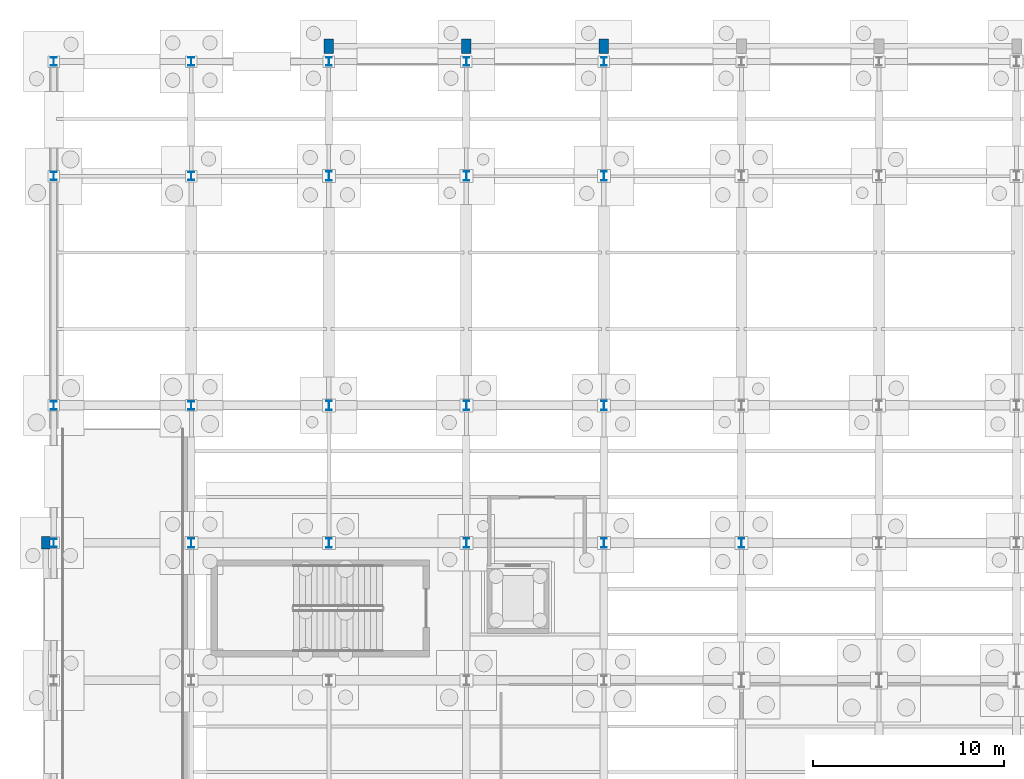
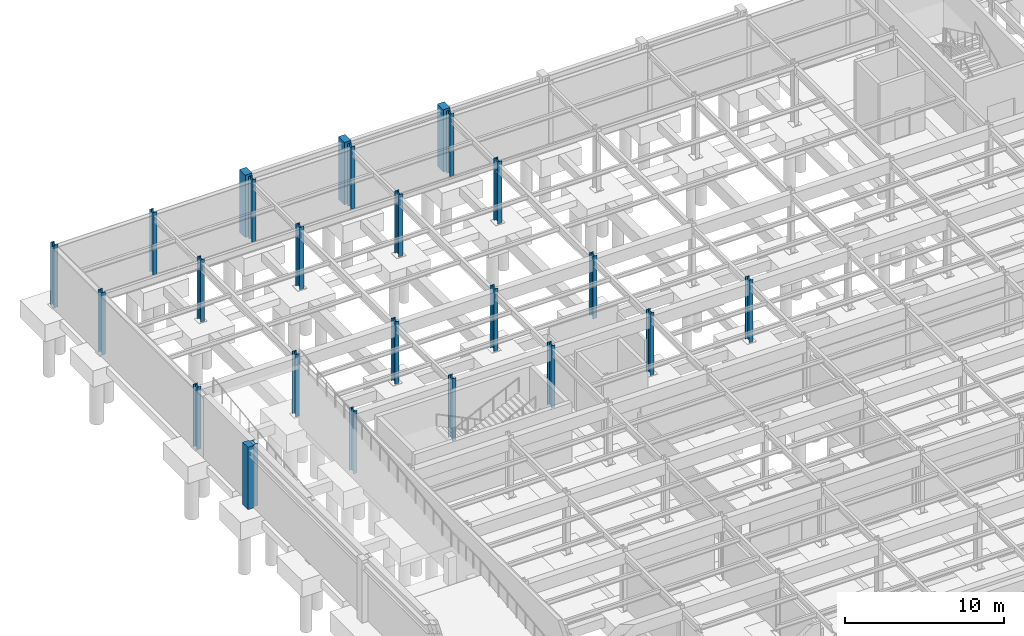
# One storey, part 25 of 64: 25 columns.
"""IFC4 building model written with IfcOpenShell, lengths in metres."""

from ifc_helpers import new_model, si_unit, direction, frame, origin, origin_2d, place, context, subcontext, project, spatial, rectangle, i_section, extrude, material, material_profile, profile_set, type_object, element, save


model = new_model("IFC4")

# Units and contexts
model_context = context("Model", 3, precision=1e-05, world=origin(), true_north=direction((0.0, 1.0)))
body_context = subcontext(model_context, "Body", "Model", "MODEL_VIEW")
ifc_project = project(units=[si_unit("LENGTHUNIT", "METRE"), si_unit("AREAUNIT", "SQUARE_METRE"), si_unit("VOLUMEUNIT", "CUBIC_METRE"), si_unit("PLANEANGLEUNIT", "RADIAN"), si_unit("MASSUNIT", "GRAM", prefix="KILO")], contexts=[model_context])

# Site, building, storey
site_placement = place(None, origin())
site = spatial("IfcSite", under=ifc_project, at=site_placement, CompositionType="ELEMENT")
building_placement = place(site_placement, origin())
building = spatial("IfcBuilding", under=site, at=building_placement, Name="Solvadek Multi-Sports Hall", CompositionType="ELEMENT")
storey_placement = place(building_placement, frame((0.0, 0.0, -4.800048828125)))
storey = spatial("IfcBuildingStorey", under=building, at=storey_placement, Name="B1", CompositionType="ELEMENT", Elevation=-4.800048828125)

# Columns
ifc_material_1 = material(Name="Steel E350 (350 MPa)", Category="steel")
ifc_material_profile_1 = material_profile(ifc_material_1, i_section(OverallWidth=0.300048828125, OverallDepth=0.449951171875, WebThickness=0.013916015625, FlangeThickness=0.02587890625, at=origin_2d()), Name="WPB 450")
ifc_profile_set_1 = profile_set([ifc_material_profile_1], Name="Steel E350 (350 MPa)")
column_type_1 = type_object("IfcColumnType", Name="STR-COL-WPB450", PredefinedType="COLUMN", material=ifc_profile_set_1)
for number, where, z_axis, x_axis, name in (
    (1, (0.0, 85.199951171875, 0.0), (0.0, 0.0, 1.0), (1.0, 0.0, 0.0), "B1 Column C-06 #10"),
    (2, (0.0, 92.39990234375, 0.0), (0.0, 0.0, 1.0), (1.0, 0.0, 0.0), "B1 Column C-06 #11"),
    (3, (0.0, 104.39990234375, 0.0), (0.0, 0.0, 1.0), (1.0, 0.0, 0.0), "B1 Column C-06 #12"),
    (4, (0.0, 110.39990234375, 0.0), (0.0, 0.0, 1.0), (1.0, 0.0, 0.0), "B1 Column C-06 #13"),
    (5, (7.199951171875, 92.39990234375, 0.0), (0.0, 0.0, 1.0), (1.0, 0.0, 0.0), "B1 Column C-06 #24"),
    (6, (7.199951171875, 104.39990234375, 0.0), (0.0, 0.0, 1.0), (1.0, 0.0, 0.0), "B1 Column C-06 #25"),
    (7, (7.199951171875, 110.39990234375, 0.0), (0.0, 0.0, 1.0), (1.0, 0.0, 0.0), "B1 Column C-06 #26"),
    (8, (14.39990234375, 110.39990234375, 0.0), (0.0, 0.0, 1.0), (1.0, 0.0, 0.0), "B1 Column C-06 #39"),
    (9, (21.60009765625, 110.39990234375, 0.0), (0.0, 0.0, 1.0), (1.0, 0.0, 0.0), "B1 Column C-06 #52"),
    (10, (28.800048828125, 110.39990234375, 0.0), (0.0, 0.0, 1.0), (1.0, 0.0, 0.0), "B1 Column C-06 #65"),
):
    element("IfcColumn", number, at=place(storey_placement, frame(where, z_axis=z_axis, x_axis=x_axis)), inside=storey, type_object=column_type_1, Name=name, PredefinedType="COLUMN", context=body_context, shape_type="SweptSolid", body=[
        extrude(i_section(OverallWidth=0.300048828125, OverallDepth=0.449951171875, WebThickness=0.013916015625, FlangeThickness=0.02587890625, at=origin_2d()), origin(), (0.0, 0.0, 1.0), 4.800048828125),
    ])
ifc_material_profile_2 = material_profile(ifc_material_1, i_section(OverallWidth=0.300048828125, OverallDepth=0.5, WebThickness=0.014404296875, FlangeThickness=0.028076171875, at=origin_2d()), Name="WPB 500")
ifc_profile_set_2 = profile_set([ifc_material_profile_2], Name="Steel E350 (350 MPa)")
column_type_2 = type_object("IfcColumnType", Name="STR-COL-WPB500", PredefinedType="COLUMN", material=ifc_profile_set_2)
for number, where, z_axis, x_axis, name in (
    (11, (7.199951171875, 85.199951171875, 0.0), (0.0, 0.0, 1.0), (1.0, 0.0, 0.0), "B1 Column C-05 #23"),
    (12, (14.39990234375, 85.199951171875, 0.0), (0.0, 0.0, 1.0), (1.0, 0.0, 0.0), "B1 Column C-05 #36"),
    (13, (14.39990234375, 92.39990234375, 0.0), (0.0, 0.0, 1.0), (1.0, 0.0, 0.0), "B1 Column C-05 #37"),
    (14, (14.39990234375, 104.39990234375, 0.0), (0.0, 0.0, 1.0), (1.0, 0.0, 0.0), "B1 Column C-05 #38"),
    (15, (21.60009765625, 85.199951171875, 0.0), (0.0, 0.0, 1.0), (1.0, 0.0, 0.0), "B1 Column C-05 #49"),
    (16, (21.60009765625, 92.39990234375, 0.0), (0.0, 0.0, 1.0), (1.0, 0.0, 0.0), "B1 Column C-05 #50"),
    (17, (21.60009765625, 104.39990234375, 0.0), (0.0, 0.0, 1.0), (1.0, 0.0, 0.0), "B1 Column C-05 #51"),
    (18, (28.800048828125, 85.199951171875, 0.0), (0.0, 0.0, 1.0), (1.0, 0.0, 0.0), "B1 Column C-05 #62"),
    (19, (28.800048828125, 92.39990234375, 0.0), (0.0, 0.0, 1.0), (1.0, 0.0, 0.0), "B1 Column C-05 #63"),
    (20, (28.800048828125, 104.39990234375, 0.0), (0.0, 0.0, 1.0), (1.0, 0.0, 0.0), "B1 Column C-05 #64"),
    (21, (36.0, 85.199951171875, 0.0), (0.0, 0.0, 1.0), (1.0, 0.0, 0.0), "B1 Column C-05 #77"),
):
    element("IfcColumn", number, at=place(storey_placement, frame(where, z_axis=z_axis, x_axis=x_axis)), inside=storey, type_object=column_type_2, Name=name, PredefinedType="COLUMN", context=body_context, shape_type="SweptSolid", body=[
        extrude(i_section(OverallWidth=0.300048828125, OverallDepth=0.5, WebThickness=0.014404296875, FlangeThickness=0.028076171875, at=origin_2d()), origin(), (0.0, 0.0, 1.0), 4.800048828125),
    ])
ifc_material_2 = material(Name="Precast concrete M40", Category="concrete")
ifc_material_profile_3 = material_profile(ifc_material_2, rectangle(XDim=0.449951171875, YDim=0.64990234375, at=origin_2d()), Name="RC PILASTER 650x450")
ifc_profile_set_3 = profile_set([ifc_material_profile_3], Name="Precast concrete M40")
column_type_3 = type_object("IfcColumnType", Name="STR-PIL-650X450", PredefinedType="PILASTER", material=ifc_profile_set_3)
column_placement = place(storey_placement, frame((-0.419921875, 85.199951171875, 0.0), z_axis=(0.0, 0.0, 1.0), x_axis=(1.0, 0.0, 0.0)))
element("IfcColumn", 22, at=column_placement, inside=storey, type_object=column_type_3, Name="B1 Column CP-01 #316", PredefinedType="PILASTER", context=body_context, shape_type="SweptSolid", body=[
    extrude(rectangle(XDim=0.449951171875, YDim=0.64990234375, at=origin_2d()), origin(), (0.0, 0.0, 1.0), 4.800048828125),
])
ifc_material_profile_4 = material_profile(ifc_material_2, rectangle(XDim=0.5, YDim=0.75, at=origin_2d()), Name="RC PILASTER 750x500")
ifc_profile_set_4 = profile_set([ifc_material_profile_4], Name="Precast concrete M40")
column_type_4 = type_object("IfcColumnType", Name="STR-PIL-750X500", PredefinedType="PILASTER", material=ifc_profile_set_4)
for number, where, z_axis, x_axis, name in (
    (23, (14.39990234375, 111.199951171875, 0.0), (0.0, 0.0, 1.0), (1.0, 0.0, 0.0), "B1 Column CP-02 #317"),
    (24, (21.60009765625, 111.199951171875, 0.0), (0.0, 0.0, 1.0), (1.0, 0.0, 0.0), "B1 Column CP-02 #318"),
    (25, (28.800048828125, 111.199951171875, 0.0), (0.0, 0.0, 1.0), (1.0, 0.0, 0.0), "B1 Column CP-02 #319"),
):
    element("IfcColumn", number, at=place(storey_placement, frame(where, z_axis=z_axis, x_axis=x_axis)), inside=storey, type_object=column_type_4, Name=name, PredefinedType="PILASTER", context=body_context, shape_type="SweptSolid", body=[
        extrude(rectangle(XDim=0.5, YDim=0.75, at=origin_2d()), origin(), (0.0, 0.0, 1.0), 4.800048828125),
    ])

save(model, "model.ifc")
